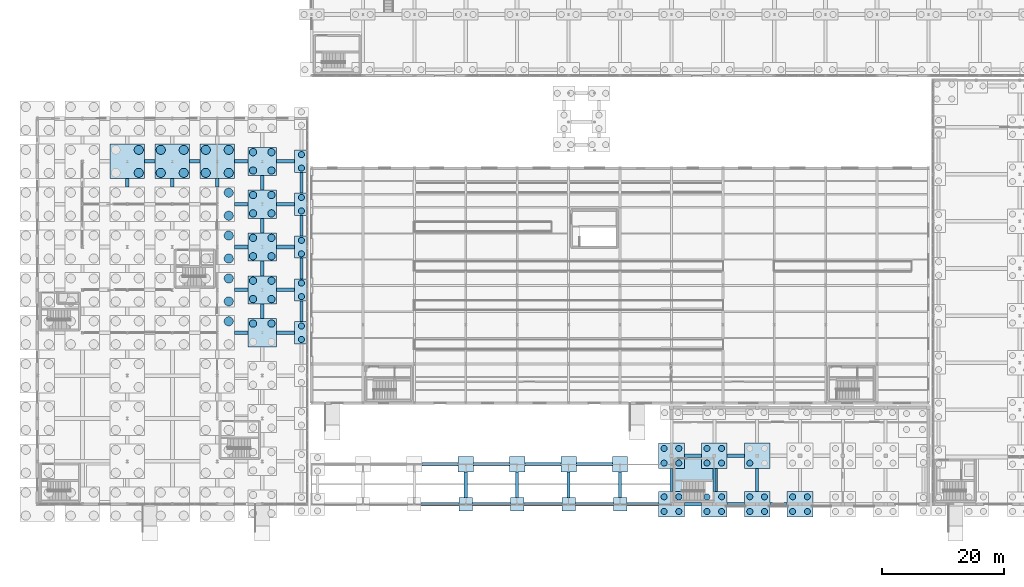
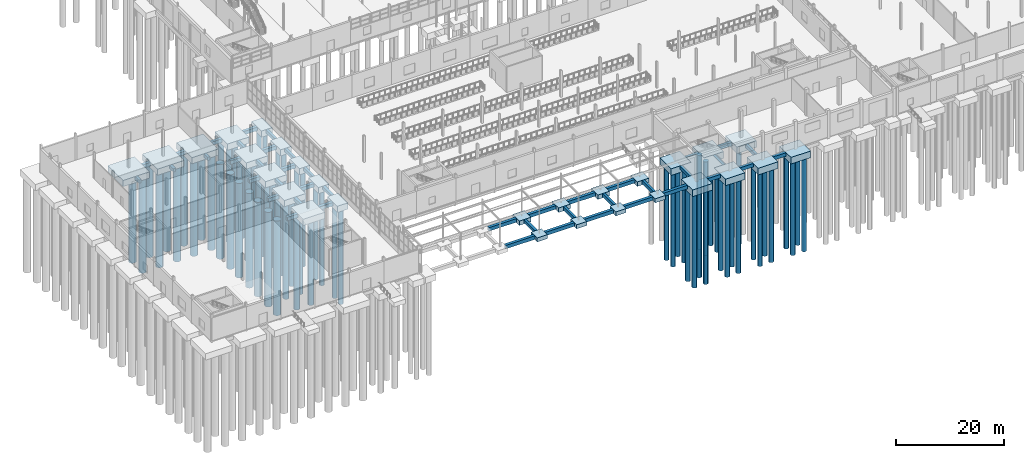
# One storey, part 3 of 139: 73 footings, 70 piles.
"""IFC4 building model written with IfcOpenShell, lengths in metres."""

from ifc_helpers import new_model, si_unit, direction, frame, origin, origin_2d, place, context, subcontext, project, spatial, polyline, rectangle, circle, outline, extrude, material, material_profile, profile_set, type_object, element, save


model = new_model("IFC4")

# Units and contexts
model_context = context("Model", 3, precision=1e-05, world=origin(), true_north=direction((0.0, 1.0)))
body_context = subcontext(model_context, "Body", "Model", "MODEL_VIEW")
ifc_project = project(units=[si_unit("LENGTHUNIT", "METRE"), si_unit("AREAUNIT", "SQUARE_METRE"), si_unit("VOLUMEUNIT", "CUBIC_METRE"), si_unit("PLANEANGLEUNIT", "RADIAN"), si_unit("MASSUNIT", "GRAM", prefix="KILO")], contexts=[model_context])

# Site, building, storey
site_placement = place(None, origin())
site = spatial("IfcSite", under=ifc_project, at=site_placement, CompositionType="ELEMENT")
building_placement = place(site_placement, origin())
building = spatial("IfcBuilding", under=site, at=building_placement, Name="Kazenagashi Tramway Depot", CompositionType="ELEMENT")
storey_placement = place(building_placement, origin())
storey = spatial("IfcBuildingStorey", under=building, at=storey_placement, Name="L01", CompositionType="ELEMENT", Elevation=0.0)

# Piles
ifc_material = material(Name="Concrete Fc30", Category="concrete")
ifc_material_profile_1 = material_profile(ifc_material, circle(Radius=0.5, at=origin_2d()), Name="PILE-1000")
ifc_profile_set_1 = profile_set([ifc_material_profile_1], Name="Concrete Fc30")
pile_type_1 = type_object("IfcPileType", Name="BP-01", PredefinedType="BORED", material=ifc_profile_set_1)
for number, where, z_axis, x_axis, name in (
    (1, (43.15, 26.9, -1.65), (0.0, 0.0, -1.0), (1.0, 0.0, 0.0), "Bored Pile BP-01 PILE-0935"),
    (2, (43.15, 29.1, -1.65), (0.0, 0.0, -1.0), (1.0, 0.0, 0.0), "Bored Pile BP-01 PILE-0936"),
    (3, (43.15, 33.9, -1.65), (0.0, 0.0, -1.0), (1.0, 0.0, 0.0), "Bored Pile BP-01 PILE-0937"),
    (4, (43.15, 36.1, -1.65), (0.0, 0.0, -1.0), (1.0, 0.0, 0.0), "Bored Pile BP-01 PILE-0938"),
    (5, (43.15, 40.9, -1.65), (0.0, 0.0, -1.0), (1.0, 0.0, 0.0), "Bored Pile BP-01 PILE-0939"),
    (6, (43.15, 43.1, -1.65), (0.0, 0.0, -1.0), (1.0, 0.0, 0.0), "Bored Pile BP-01 PILE-0940"),
    (7, (43.15, 47.9, -1.65), (0.0, 0.0, -1.0), (1.0, 0.0, 0.0), "Bored Pile BP-01 PILE-0941"),
    (8, (43.15, 50.1, -1.65), (0.0, 0.0, -1.0), (1.0, 0.0, 0.0), "Bored Pile BP-01 PILE-0942"),
    (9, (43.15, 54.9, -1.65), (0.0, 0.0, -1.0), (1.0, 0.0, 0.0), "Bored Pile BP-01 PILE-0943"),
    (10, (43.15, 57.1, -1.65), (0.0, 0.0, -1.0), (1.0, 0.0, 0.0), "Bored Pile BP-01 PILE-0944"),
):
    element("IfcPile", number, at=place(storey_placement, frame(where, z_axis=z_axis, x_axis=x_axis)), inside=storey, type_object=pile_type_1, Name=name, PredefinedType="BORED", context=body_context, shape_type="SweptSolid", body=[
        extrude(circle(Radius=0.5, at=origin_2d()), origin(), (0.0, 0.0, 1.0), 21.35),
    ])
for number, where, z_axis, x_axis, name in (
    (11, (102.4, -1.2, -1.75), (0.0, 0.0, -1.0), (1.0, 0.0, 0.0), "Bored Pile BP-01 PILE-0947"),
    (12, (104.8, -1.2, -1.75), (0.0, 0.0, -1.0), (1.0, 0.0, 0.0), "Bored Pile BP-01 PILE-0948"),
    (13, (102.4, 1.2, -1.75), (0.0, 0.0, -1.0), (1.0, 0.0, 0.0), "Bored Pile BP-01 PILE-0949"),
    (14, (104.8, 1.2, -1.75), (0.0, 0.0, -1.0), (1.0, 0.0, 0.0), "Bored Pile BP-01 PILE-0950"),
    (15, (102.4, 6.7, -1.75), (0.0, 0.0, -1.0), (1.0, 0.0, 0.0), "Bored Pile BP-01 PILE-0951"),
    (16, (104.8, 6.7, -1.75), (0.0, 0.0, -1.0), (1.0, 0.0, 0.0), "Bored Pile BP-01 PILE-0952"),
    (17, (102.4, 9.1, -1.75), (0.0, 0.0, -1.0), (1.0, 0.0, 0.0), "Bored Pile BP-01 PILE-0953"),
    (18, (104.8, 9.1, -1.75), (0.0, 0.0, -1.0), (1.0, 0.0, 0.0), "Bored Pile BP-01 PILE-0954"),
    (19, (109.4, -1.2, -1.75), (0.0, 0.0, -1.0), (1.0, 0.0, 0.0), "Bored Pile BP-01 PILE-0957"),
    (20, (111.8, -1.2, -1.75), (0.0, 0.0, -1.0), (1.0, 0.0, 0.0), "Bored Pile BP-01 PILE-0958"),
    (21, (109.4, 1.2, -1.75), (0.0, 0.0, -1.0), (1.0, 0.0, 0.0), "Bored Pile BP-01 PILE-0959"),
    (22, (111.8, 1.2, -1.75), (0.0, 0.0, -1.0), (1.0, 0.0, 0.0), "Bored Pile BP-01 PILE-0960"),
    (23, (109.4, 6.7, -1.75), (0.0, 0.0, -1.0), (1.0, 0.0, 0.0), "Bored Pile BP-01 PILE-0961"),
    (24, (111.8, 6.7, -1.75), (0.0, 0.0, -1.0), (1.0, 0.0, 0.0), "Bored Pile BP-01 PILE-0962"),
    (25, (109.4, 9.1, -1.75), (0.0, 0.0, -1.0), (1.0, 0.0, 0.0), "Bored Pile BP-01 PILE-0963"),
    (26, (111.8, 9.1, -1.75), (0.0, 0.0, -1.0), (1.0, 0.0, 0.0), "Bored Pile BP-01 PILE-0964"),
    (27, (116.4, -1.2, -1.75), (0.0, 0.0, -1.0), (1.0, 0.0, 0.0), "Bored Pile BP-01 PILE-0967"),
    (28, (118.8, -1.2, -1.75), (0.0, 0.0, -1.0), (1.0, 0.0, 0.0), "Bored Pile BP-01 PILE-0968"),
    (29, (116.4, 1.2, -1.75), (0.0, 0.0, -1.0), (1.0, 0.0, 0.0), "Bored Pile BP-01 PILE-0969"),
    (30, (118.8, 1.2, -1.75), (0.0, 0.0, -1.0), (1.0, 0.0, 0.0), "Bored Pile BP-01 PILE-0970"),
    (31, (116.4, 6.7, -1.75), (0.0, 0.0, -1.0), (1.0, 0.0, 0.0), "Bored Pile BP-01 PILE-0971"),
    (32, (123.4, -1.2, -1.75), (0.0, 0.0, -1.0), (1.0, 0.0, 0.0), "Bored Pile BP-01 PILE-0977"),
    (33, (125.8, -1.2, -1.75), (0.0, 0.0, -1.0), (1.0, 0.0, 0.0), "Bored Pile BP-01 PILE-0978"),
    (34, (123.4, 1.2, -1.75), (0.0, 0.0, -1.0), (1.0, 0.0, 0.0), "Bored Pile BP-01 PILE-0979"),
    (35, (125.8, 1.2, -1.75), (0.0, 0.0, -1.0), (1.0, 0.0, 0.0), "Bored Pile BP-01 PILE-0980"),
):
    element("IfcPile", number, at=place(storey_placement, frame(where, z_axis=z_axis, x_axis=x_axis)), inside=storey, type_object=pile_type_1, Name=name, PredefinedType="BORED", context=body_context, shape_type="SweptSolid", body=[
        extrude(circle(Radius=0.5, at=origin_2d()), origin(), (0.0, 0.0, 1.0), 21.25),
    ])
ifc_material_profile_2 = material_profile(ifc_material, circle(Radius=0.6, at=origin_2d()), Name="PILE-1200")
ifc_profile_set_2 = profile_set([ifc_material_profile_2], Name="Concrete Fc30")
pile_type_2 = type_object("IfcPileType", Name="BP-02", PredefinedType="BORED", material=ifc_profile_set_2)
for number, where, z_axis, x_axis, name in (
    (36, (35.25, 29.5, -1.65), (0.0, 0.0, -1.0), (1.0, 0.0, 0.0), "Bored Pile BP-02 PILE-0905"),
    (37, (38.25, 29.5, -1.65), (0.0, 0.0, -1.0), (1.0, 0.0, 0.0), "Bored Pile BP-02 PILE-0906"),
    (38, (35.25, 33.5, -1.65), (0.0, 0.0, -1.0), (1.0, 0.0, 0.0), "Bored Pile BP-02 PILE-0907"),
    (39, (38.25, 33.5, -1.65), (0.0, 0.0, -1.0), (1.0, 0.0, 0.0), "Bored Pile BP-02 PILE-0908"),
    (40, (35.25, 36.5, -1.65), (0.0, 0.0, -1.0), (1.0, 0.0, 0.0), "Bored Pile BP-02 PILE-0909"),
    (41, (38.25, 36.5, -1.65), (0.0, 0.0, -1.0), (1.0, 0.0, 0.0), "Bored Pile BP-02 PILE-0910"),
    (42, (35.25, 40.5, -1.65), (0.0, 0.0, -1.0), (1.0, 0.0, 0.0), "Bored Pile BP-02 PILE-0911"),
    (43, (38.25, 40.5, -1.65), (0.0, 0.0, -1.0), (1.0, 0.0, 0.0), "Bored Pile BP-02 PILE-0912"),
    (44, (35.25, 43.5, -1.65), (0.0, 0.0, -1.0), (1.0, 0.0, 0.0), "Bored Pile BP-02 PILE-0913"),
    (45, (38.25, 43.5, -1.65), (0.0, 0.0, -1.0), (1.0, 0.0, 0.0), "Bored Pile BP-02 PILE-0914"),
    (46, (35.25, 47.5, -1.65), (0.0, 0.0, -1.0), (1.0, 0.0, 0.0), "Bored Pile BP-02 PILE-0915"),
    (47, (38.25, 47.5, -1.65), (0.0, 0.0, -1.0), (1.0, 0.0, 0.0), "Bored Pile BP-02 PILE-0916"),
    (48, (35.25, 50.5, -1.65), (0.0, 0.0, -1.0), (1.0, 0.0, 0.0), "Bored Pile BP-02 PILE-0917"),
    (49, (38.25, 50.5, -1.65), (0.0, 0.0, -1.0), (1.0, 0.0, 0.0), "Bored Pile BP-02 PILE-0918"),
    (50, (35.25, 54.5, -1.65), (0.0, 0.0, -1.0), (1.0, 0.0, 0.0), "Bored Pile BP-02 PILE-0919"),
    (51, (38.25, 54.5, -1.65), (0.0, 0.0, -1.0), (1.0, 0.0, 0.0), "Bored Pile BP-02 PILE-0920"),
    (52, (35.25, 57.5, -1.65), (0.0, 0.0, -1.0), (1.0, 0.0, 0.0), "Bored Pile BP-02 PILE-0921"),
    (53, (38.25, 57.5, -1.65), (0.0, 0.0, -1.0), (1.0, 0.0, 0.0), "Bored Pile BP-02 PILE-0922"),
):
    element("IfcPile", number, at=place(storey_placement, frame(where, z_axis=z_axis, x_axis=x_axis)), inside=storey, type_object=pile_type_2, Name=name, PredefinedType="BORED", context=body_context, shape_type="SweptSolid", body=[
        extrude(circle(Radius=0.6, at=origin_2d()), origin(), (0.0, 0.0, 1.0), 21.35),
    ])
ifc_material_profile_3 = material_profile(ifc_material, circle(Radius=0.75, at=origin_2d()), Name="PILE-1500")
ifc_profile_set_3 = profile_set([ifc_material_profile_3], Name="Concrete Fc30")
pile_type_3 = type_object("IfcPileType", Name="BP-03", PredefinedType="BORED", material=ifc_profile_set_3)
for number, where, z_axis, x_axis, name in (
    (54, (16.575, 54.125, -1.65), (0.0, 0.0, -1.0), (1.0, 0.0, 0.0), "Bored Pile BP-03 PILE-0812"),
    (55, (16.575, 57.875, -1.65), (0.0, 0.0, -1.0), (1.0, 0.0, 0.0), "Bored Pile BP-03 PILE-0814"),
    (56, (20.175, 54.125, -1.65), (0.0, 0.0, -1.0), (1.0, 0.0, 0.0), "Bored Pile BP-03 PILE-0839"),
    (57, (23.925, 54.125, -1.65), (0.0, 0.0, -1.0), (1.0, 0.0, 0.0), "Bored Pile BP-03 PILE-0840"),
    (58, (20.175, 57.875, -1.65), (0.0, 0.0, -1.0), (1.0, 0.0, 0.0), "Bored Pile BP-03 PILE-0841"),
    (59, (23.925, 57.875, -1.65), (0.0, 0.0, -1.0), (1.0, 0.0, 0.0), "Bored Pile BP-03 PILE-0842"),
    (60, (31.275, 29.875, -1.65), (0.0, 0.0, -1.0), (1.0, 0.0, 0.0), "Bored Pile BP-03 PILE-0866"),
    (61, (31.275, 33.125, -1.65), (0.0, 0.0, -1.0), (1.0, 0.0, 0.0), "Bored Pile BP-03 PILE-0868"),
    (62, (31.275, 36.875, -1.65), (0.0, 0.0, -1.0), (1.0, 0.0, 0.0), "Bored Pile BP-03 PILE-0870"),
    (63, (31.275, 40.125, -1.65), (0.0, 0.0, -1.0), (1.0, 0.0, 0.0), "Bored Pile BP-03 PILE-0872"),
    (64, (31.275, 43.875, -1.65), (0.0, 0.0, -1.0), (1.0, 0.0, 0.0), "Bored Pile BP-03 PILE-0874"),
    (65, (31.275, 47.125, -1.65), (0.0, 0.0, -1.0), (1.0, 0.0, 0.0), "Bored Pile BP-03 PILE-0876"),
    (66, (31.275, 50.875, -1.65), (0.0, 0.0, -1.0), (1.0, 0.0, 0.0), "Bored Pile BP-03 PILE-0878"),
    (67, (27.525, 54.125, -1.65), (0.0, 0.0, -1.0), (1.0, 0.0, 0.0), "Bored Pile BP-03 PILE-0879"),
    (68, (31.275, 54.125, -1.65), (0.0, 0.0, -1.0), (1.0, 0.0, 0.0), "Bored Pile BP-03 PILE-0880"),
    (69, (27.525, 57.875, -1.65), (0.0, 0.0, -1.0), (1.0, 0.0, 0.0), "Bored Pile BP-03 PILE-0881"),
    (70, (31.275, 57.875, -1.65), (0.0, 0.0, -1.0), (1.0, 0.0, 0.0), "Bored Pile BP-03 PILE-0882"),
):
    element("IfcPile", number, at=place(storey_placement, frame(where, z_axis=z_axis, x_axis=x_axis)), inside=storey, type_object=pile_type_3, Name=name, PredefinedType="BORED", context=body_context, shape_type="SweptSolid", body=[
        extrude(circle(Radius=0.75, at=origin_2d()), origin(), (0.0, 0.0, 1.0), 21.35),
    ])

# Footings
footing_type_1 = type_object("IfcFootingType", Name="FB-01", PredefinedType="FOOTING_BEAM", material=ifc_material)
footing_1_placement = place(storey_placement, frame((0.0, 0.0, -1.15)))
element("IfcFooting", 71, at=footing_1_placement, inside=storey, type_object=footing_type_1, Name="Footing Tie Beam FB-0009", PredefinedType="FOOTING_BEAM", context=body_context, shape_type="SweptSolid", body=[
    extrude(outline(polyline([(62.7, -0.3), (68.9, -0.3), (68.9, 0.3), (62.7, 0.3), (62.7, -0.3)])), origin(), (0.0, 0.0, 1.0), 0.8),
])
footing_2_placement = place(storey_placement, frame((0.0, 0.0, -1.15)))
element("IfcFooting", 72, at=footing_2_placement, inside=storey, type_object=footing_type_1, Name="Footing Tie Beam FB-0010", PredefinedType="FOOTING_BEAM", context=body_context, shape_type="SweptSolid", body=[
    extrude(outline(polyline([(71.1, -0.3), (77.3, -0.3), (77.3, 0.3), (71.1, 0.3), (71.1, -0.3)])), origin(), (0.0, 0.0, 1.0), 0.8),
])
footing_3_placement = place(storey_placement, frame((0.0, 0.0, -1.15)))
element("IfcFooting", 73, at=footing_3_placement, inside=storey, type_object=footing_type_1, Name="Footing Tie Beam FB-0011", PredefinedType="FOOTING_BEAM", context=body_context, shape_type="SweptSolid", body=[
    extrude(outline(polyline([(79.5, -0.3), (85.7, -0.3), (85.7, 0.3), (79.5, 0.3), (79.5, -0.3)])), origin(), (0.0, 0.0, 1.0), 0.8),
])
footing_4_placement = place(storey_placement, frame((0.0, 0.0, -1.15)))
element("IfcFooting", 74, at=footing_4_placement, inside=storey, type_object=footing_type_1, Name="Footing Tie Beam FB-0012", PredefinedType="FOOTING_BEAM", context=body_context, shape_type="SweptSolid", body=[
    extrude(outline(polyline([(87.9, -0.3), (94.1, -0.3), (94.1, 0.3), (87.9, 0.3), (87.9, -0.3)])), origin(), (0.0, 0.0, 1.0), 0.8),
])
footing_5_placement = place(storey_placement, frame((0.0, 0.0, -1.15)))
element("IfcFooting", 75, at=footing_5_placement, inside=storey, type_object=footing_type_1, Name="Footing Tie Beam FB-0013", PredefinedType="FOOTING_BEAM", context=body_context, shape_type="SweptSolid", body=[
    extrude(outline(polyline([(96.3, -0.3), (101.5, -0.3), (101.5, 0.3), (96.3, 0.3), (96.3, -0.3)])), origin(), (0.0, 0.0, 1.0), 0.8),
])
footing_6_placement = place(storey_placement, frame((0.0, 0.0, -1.15)))
element("IfcFooting", 76, at=footing_6_placement, inside=storey, type_object=footing_type_1, Name="Footing Tie Beam FB-0014", PredefinedType="FOOTING_BEAM", context=body_context, shape_type="SweptSolid", body=[
    extrude(outline(polyline([(105.7, -0.3), (108.5, -0.3), (108.5, 0.3), (105.7, 0.3), (105.7, -0.3)])), origin(), (0.0, 0.0, 1.0), 0.8),
])
footing_7_placement = place(storey_placement, frame((0.0, 0.0, -1.15)))
element("IfcFooting", 77, at=footing_7_placement, inside=storey, type_object=footing_type_1, Name="Footing Tie Beam FB-0015", PredefinedType="FOOTING_BEAM", context=body_context, shape_type="SweptSolid", body=[
    extrude(outline(polyline([(112.7, -0.3), (115.5, -0.3), (115.5, 0.3), (112.7, 0.3), (112.7, -0.3)])), origin(), (0.0, 0.0, 1.0), 0.8),
])
footing_8_placement = place(storey_placement, frame((0.0, 0.0, -1.15)))
element("IfcFooting", 78, at=footing_8_placement, inside=storey, type_object=footing_type_1, Name="Footing Tie Beam FB-0016", PredefinedType="FOOTING_BEAM", context=body_context, shape_type="SweptSolid", body=[
    extrude(outline(polyline([(119.7, -0.3), (122.5, -0.3), (122.5, 0.3), (119.7, 0.3), (119.7, -0.3)])), origin(), (0.0, 0.0, 1.0), 0.8),
])
footing_9_placement = place(storey_placement, frame((0.0, 0.0, -1.15)))
element("IfcFooting", 79, at=footing_9_placement, inside=storey, type_object=footing_type_1, Name="Footing Tie Beam FB-0029", PredefinedType="FOOTING_BEAM", context=body_context, shape_type="SweptSolid", body=[
    extrude(outline(polyline([(62.85, 6.2), (68.75, 6.2), (68.75, 6.8), (62.85, 6.8), (62.85, 6.2)])), origin(), (0.0, 0.0, 1.0), 0.8),
])
footing_10_placement = place(storey_placement, frame((0.0, 0.0, -1.15)))
element("IfcFooting", 80, at=footing_10_placement, inside=storey, type_object=footing_type_1, Name="Footing Tie Beam FB-0030", PredefinedType="FOOTING_BEAM", context=body_context, shape_type="SweptSolid", body=[
    extrude(outline(polyline([(71.25, 6.2), (77.15, 6.2), (77.15, 6.8), (71.25, 6.8), (71.25, 6.2)])), origin(), (0.0, 0.0, 1.0), 0.8),
])
footing_11_placement = place(storey_placement, frame((0.0, 0.0, -1.15)))
element("IfcFooting", 81, at=footing_11_placement, inside=storey, type_object=footing_type_1, Name="Footing Tie Beam FB-0031", PredefinedType="FOOTING_BEAM", context=body_context, shape_type="SweptSolid", body=[
    extrude(outline(polyline([(79.65, 6.2), (85.55, 6.2), (85.55, 6.8), (79.65, 6.8), (79.65, 6.2)])), origin(), (0.0, 0.0, 1.0), 0.8),
])
footing_12_placement = place(storey_placement, frame((0.0, 0.0, -1.15)))
element("IfcFooting", 82, at=footing_12_placement, inside=storey, type_object=footing_type_1, Name="Footing Tie Beam FB-0032", PredefinedType="FOOTING_BEAM", context=body_context, shape_type="SweptSolid", body=[
    extrude(outline(polyline([(88.05, 6.2), (93.95, 6.2), (93.95, 6.8), (88.05, 6.8), (88.05, 6.2)])), origin(), (0.0, 0.0, 1.0), 0.8),
])
footing_13_placement = place(storey_placement, frame((0.0, 0.0, -1.15)))
element("IfcFooting", 83, at=footing_13_placement, inside=storey, type_object=footing_type_1, Name="Footing Tie Beam FB-0043", PredefinedType="FOOTING_BEAM", context=body_context, shape_type="SweptSolid", body=[
    extrude(outline(polyline([(105.7, 7.6), (108.5, 7.6), (108.5, 8.2), (105.7, 8.2), (105.7, 7.6)])), origin(), (0.0, 0.0, 1.0), 0.8),
])
footing_14_placement = place(storey_placement, frame((0.0, 0.0, -1.15)))
element("IfcFooting", 84, at=footing_14_placement, inside=storey, type_object=footing_type_1, Name="Footing Tie Beam FB-0044", PredefinedType="FOOTING_BEAM", context=body_context, shape_type="SweptSolid", body=[
    extrude(outline(polyline([(112.7, 7.6), (115.5, 7.6), (115.5, 8.2), (112.7, 8.2), (112.7, 7.6)])), origin(), (0.0, 0.0, 1.0), 0.8),
])
footing_15_placement = place(storey_placement, frame((0.0, 0.0, -1.15)))
element("IfcFooting", 85, at=footing_15_placement, inside=storey, type_object=footing_type_1, Name="Footing Tie Beam FB-0076", PredefinedType="FOOTING_BEAM", context=body_context, shape_type="SweptSolid", body=[
    extrude(outline(polyline([(32.225, 27.7), (34.45, 27.7), (34.45, 28.3), (32.225, 28.3), (32.225, 27.7)])), origin(), (0.0, 0.0, 1.0), 0.8),
])
footing_16_placement = place(storey_placement, frame((0.0, 0.0, -1.15)))
element("IfcFooting", 86, at=footing_16_placement, inside=storey, type_object=footing_type_1, Name="Footing Tie Beam FB-0077", PredefinedType="FOOTING_BEAM", context=body_context, shape_type="SweptSolid", body=[
    extrude(outline(polyline([(39.05, 27.7), (42.0, 27.7), (42.0, 28.3), (39.05, 28.3), (39.05, 27.7)])), origin(), (0.0, 0.0, 1.0), 0.8),
])
footing_17_placement = place(storey_placement, frame((0.0, 0.0, -1.15)))
element("IfcFooting", 87, at=footing_17_placement, inside=storey, type_object=footing_type_1, Name="Footing Tie Beam FB-0087", PredefinedType="FOOTING_BEAM", context=body_context, shape_type="SweptSolid", body=[
    extrude(outline(polyline([(32.225, 34.7), (34.45, 34.7), (34.45, 35.3), (32.225, 35.3), (32.225, 34.7)])), origin(), (0.0, 0.0, 1.0), 0.8),
])
footing_18_placement = place(storey_placement, frame((0.0, 0.0, -1.15)))
element("IfcFooting", 88, at=footing_18_placement, inside=storey, type_object=footing_type_1, Name="Footing Tie Beam FB-0088", PredefinedType="FOOTING_BEAM", context=body_context, shape_type="SweptSolid", body=[
    extrude(outline(polyline([(39.05, 34.7), (42.0, 34.7), (42.0, 35.3), (39.05, 35.3), (39.05, 34.7)])), origin(), (0.0, 0.0, 1.0), 0.8),
])
footing_19_placement = place(storey_placement, frame((0.0, 0.0, -1.15)))
element("IfcFooting", 89, at=footing_19_placement, inside=storey, type_object=footing_type_1, Name="Footing Tie Beam FB-0098", PredefinedType="FOOTING_BEAM", context=body_context, shape_type="SweptSolid", body=[
    extrude(outline(polyline([(32.225, 41.7), (34.45, 41.7), (34.45, 42.3), (32.225, 42.3), (32.225, 41.7)])), origin(), (0.0, 0.0, 1.0), 0.8),
])
footing_20_placement = place(storey_placement, frame((0.0, 0.0, -1.15)))
element("IfcFooting", 90, at=footing_20_placement, inside=storey, type_object=footing_type_1, Name="Footing Tie Beam FB-0099", PredefinedType="FOOTING_BEAM", context=body_context, shape_type="SweptSolid", body=[
    extrude(outline(polyline([(39.05, 41.7), (42.0, 41.7), (42.0, 42.3), (39.05, 42.3), (39.05, 41.7)])), origin(), (0.0, 0.0, 1.0), 0.8),
])
footing_21_placement = place(storey_placement, frame((0.0, 0.0, -1.15)))
element("IfcFooting", 91, at=footing_21_placement, inside=storey, type_object=footing_type_1, Name="Footing Tie Beam FB-0109", PredefinedType="FOOTING_BEAM", context=body_context, shape_type="SweptSolid", body=[
    extrude(outline(polyline([(32.225, 48.7), (34.45, 48.7), (34.45, 49.3), (32.225, 49.3), (32.225, 48.7)])), origin(), (0.0, 0.0, 1.0), 0.8),
])
footing_22_placement = place(storey_placement, frame((0.0, 0.0, -1.15)))
element("IfcFooting", 92, at=footing_22_placement, inside=storey, type_object=footing_type_1, Name="Footing Tie Beam FB-0110", PredefinedType="FOOTING_BEAM", context=body_context, shape_type="SweptSolid", body=[
    extrude(outline(polyline([(39.05, 48.7), (42.0, 48.7), (42.0, 49.3), (39.05, 49.3), (39.05, 48.7)])), origin(), (0.0, 0.0, 1.0), 0.8),
])
footing_23_placement = place(storey_placement, frame((0.0, 0.0, -1.15)))
element("IfcFooting", 93, at=footing_23_placement, inside=storey, type_object=footing_type_1, Name="Footing Tie Beam FB-0118", PredefinedType="FOOTING_BEAM", context=body_context, shape_type="SweptSolid", body=[
    extrude(outline(polyline([(17.525, 55.7), (19.225, 55.7), (19.225, 56.3), (17.525, 56.3), (17.525, 55.7)])), origin(), (0.0, 0.0, 1.0), 0.8),
])
footing_24_placement = place(storey_placement, frame((0.0, 0.0, -1.15)))
element("IfcFooting", 94, at=footing_24_placement, inside=storey, type_object=footing_type_1, Name="Footing Tie Beam FB-0119", PredefinedType="FOOTING_BEAM", context=body_context, shape_type="SweptSolid", body=[
    extrude(outline(polyline([(24.875, 55.7), (26.575, 55.7), (26.575, 56.3), (24.875, 56.3), (24.875, 55.7)])), origin(), (0.0, 0.0, 1.0), 0.8),
])
footing_25_placement = place(storey_placement, frame((0.0, 0.0, -1.15)))
element("IfcFooting", 95, at=footing_25_placement, inside=storey, type_object=footing_type_1, Name="Footing Tie Beam FB-0120", PredefinedType="FOOTING_BEAM", context=body_context, shape_type="SweptSolid", body=[
    extrude(outline(polyline([(32.225, 55.7), (34.45, 55.7), (34.45, 56.3), (32.225, 56.3), (32.225, 55.7)])), origin(), (0.0, 0.0, 1.0), 0.8),
])
footing_26_placement = place(storey_placement, frame((0.0, 0.0, -1.15)))
element("IfcFooting", 96, at=footing_26_placement, inside=storey, type_object=footing_type_1, Name="Footing Tie Beam FB-0121", PredefinedType="FOOTING_BEAM", context=body_context, shape_type="SweptSolid", body=[
    extrude(outline(polyline([(39.05, 55.7), (42.0, 55.7), (42.0, 56.3), (39.05, 56.3), (39.05, 55.7)])), origin(), (0.0, 0.0, 1.0), 0.8),
])
footing_type_2 = type_object("IfcFootingType", Name="FB-03", PredefinedType="FOOTING_BEAM", material=ifc_material)
footing_27_placement = place(storey_placement, frame((0.0, 0.0, -1.1)))
element("IfcFooting", 97, at=footing_27_placement, inside=storey, type_object=footing_type_2, Name="Footing Tie Beam FB-0243", PredefinedType="FOOTING_BEAM", context=body_context, shape_type="SweptSolid", body=[
    extrude(outline(polyline([(14.45, 51.825), (14.95, 51.825), (14.95, 53.175), (14.45, 53.175), (14.45, 51.825)])), origin(), (0.0, 0.0, 1.0), 0.75),
])
footing_28_placement = place(storey_placement, frame((0.0, 0.0, -1.1)))
element("IfcFooting", 98, at=footing_28_placement, inside=storey, type_object=footing_type_2, Name="Footing Tie Beam FB-0249", PredefinedType="FOOTING_BEAM", context=body_context, shape_type="SweptSolid", body=[
    extrude(outline(polyline([(21.8, 51.825), (22.3, 51.825), (22.3, 53.175), (21.8, 53.175), (21.8, 51.825)])), origin(), (0.0, 0.0, 1.0), 0.75),
])
footing_29_placement = place(storey_placement, frame((0.0, 0.0, -1.1)))
element("IfcFooting", 99, at=footing_29_placement, inside=storey, type_object=footing_type_2, Name="Footing Tie Beam FB-0258", PredefinedType="FOOTING_BEAM", context=body_context, shape_type="SweptSolid", body=[
    extrude(outline(polyline([(29.15, 51.825), (29.65, 51.825), (29.65, 53.175), (29.15, 53.175), (29.15, 51.825)])), origin(), (0.0, 0.0, 1.0), 0.75),
])
footing_30_placement = place(storey_placement, frame((0.0, 0.0, -1.1)))
element("IfcFooting", 100, at=footing_30_placement, inside=storey, type_object=footing_type_2, Name="Footing Tie Beam FB-0264", PredefinedType="FOOTING_BEAM", context=body_context, shape_type="SweptSolid", body=[
    extrude(outline(polyline([(36.5, 30.3), (37.0, 30.3), (37.0, 32.7), (36.5, 32.7), (36.5, 30.3)])), origin(), (0.0, 0.0, 1.0), 0.75),
])
footing_31_placement = place(storey_placement, frame((0.0, 0.0, -1.1)))
element("IfcFooting", 101, at=footing_31_placement, inside=storey, type_object=footing_type_2, Name="Footing Tie Beam FB-0265", PredefinedType="FOOTING_BEAM", context=body_context, shape_type="SweptSolid", body=[
    extrude(outline(polyline([(36.5, 37.3), (37.0, 37.3), (37.0, 39.7), (36.5, 39.7), (36.5, 37.3)])), origin(), (0.0, 0.0, 1.0), 0.75),
])
footing_32_placement = place(storey_placement, frame((0.0, 0.0, -1.1)))
element("IfcFooting", 102, at=footing_32_placement, inside=storey, type_object=footing_type_2, Name="Footing Tie Beam FB-0266", PredefinedType="FOOTING_BEAM", context=body_context, shape_type="SweptSolid", body=[
    extrude(outline(polyline([(36.5, 44.3), (37.0, 44.3), (37.0, 46.7), (36.5, 46.7), (36.5, 44.3)])), origin(), (0.0, 0.0, 1.0), 0.75),
])
footing_33_placement = place(storey_placement, frame((0.0, 0.0, -1.1)))
element("IfcFooting", 103, at=footing_33_placement, inside=storey, type_object=footing_type_2, Name="Footing Tie Beam FB-0267", PredefinedType="FOOTING_BEAM", context=body_context, shape_type="SweptSolid", body=[
    extrude(outline(polyline([(36.5, 51.3), (37.0, 51.3), (37.0, 53.7), (36.5, 53.7), (36.5, 51.3)])), origin(), (0.0, 0.0, 1.0), 0.75),
])
footing_34_placement = place(storey_placement, frame((0.0, 0.0, -1.1)))
element("IfcFooting", 104, at=footing_34_placement, inside=storey, type_object=footing_type_2, Name="Footing Tie Beam FB-0273", PredefinedType="FOOTING_BEAM", context=body_context, shape_type="SweptSolid", body=[
    extrude(outline(polyline([(42.9, 29.82), (43.4, 29.82), (43.4, 33.18), (42.9, 33.18), (42.9, 29.82)])), origin(), (0.0, 0.0, 1.0), 0.75),
])
footing_35_placement = place(storey_placement, frame((0.0, 0.0, -1.1)))
element("IfcFooting", 105, at=footing_35_placement, inside=storey, type_object=footing_type_2, Name="Footing Tie Beam FB-0274", PredefinedType="FOOTING_BEAM", context=body_context, shape_type="SweptSolid", body=[
    extrude(outline(polyline([(42.9, 36.82), (43.4, 36.82), (43.4, 40.18), (42.9, 40.18), (42.9, 36.82)])), origin(), (0.0, 0.0, 1.0), 0.75),
])
footing_36_placement = place(storey_placement, frame((0.0, 0.0, -1.1)))
element("IfcFooting", 106, at=footing_36_placement, inside=storey, type_object=footing_type_2, Name="Footing Tie Beam FB-0275", PredefinedType="FOOTING_BEAM", context=body_context, shape_type="SweptSolid", body=[
    extrude(outline(polyline([(42.9, 43.82), (43.4, 43.82), (43.4, 47.18), (42.9, 47.18), (42.9, 43.82)])), origin(), (0.0, 0.0, 1.0), 0.75),
])
footing_37_placement = place(storey_placement, frame((0.0, 0.0, -1.1)))
element("IfcFooting", 107, at=footing_37_placement, inside=storey, type_object=footing_type_2, Name="Footing Tie Beam FB-0276", PredefinedType="FOOTING_BEAM", context=body_context, shape_type="SweptSolid", body=[
    extrude(outline(polyline([(42.9, 50.82), (43.4, 50.82), (43.4, 54.18), (42.9, 54.18), (42.9, 50.82)])), origin(), (0.0, 0.0, 1.0), 0.75),
])
footing_38_placement = place(storey_placement, frame((0.0, 0.0, -1.1)))
element("IfcFooting", 108, at=footing_38_placement, inside=storey, type_object=footing_type_2, Name="Footing Tie Beam FB-0302", PredefinedType="FOOTING_BEAM", context=body_context, shape_type="SweptSolid", body=[
    extrude(outline(polyline([(69.75, 1.1), (70.25, 1.1), (70.25, 5.25), (69.75, 5.25), (69.75, 1.1)])), origin(), (0.0, 0.0, 1.0), 0.75),
])
footing_39_placement = place(storey_placement, frame((0.0, 0.0, -1.1)))
element("IfcFooting", 109, at=footing_39_placement, inside=storey, type_object=footing_type_2, Name="Footing Tie Beam FB-0306", PredefinedType="FOOTING_BEAM", context=body_context, shape_type="SweptSolid", body=[
    extrude(outline(polyline([(78.15, 1.1), (78.65, 1.1), (78.65, 5.25), (78.15, 5.25), (78.15, 1.1)])), origin(), (0.0, 0.0, 1.0), 0.75),
])
footing_40_placement = place(storey_placement, frame((0.0, 0.0, -1.1)))
element("IfcFooting", 110, at=footing_40_placement, inside=storey, type_object=footing_type_2, Name="Footing Tie Beam FB-0312", PredefinedType="FOOTING_BEAM", context=body_context, shape_type="SweptSolid", body=[
    extrude(outline(polyline([(86.55, 1.1), (87.05, 1.1), (87.05, 5.25), (86.55, 5.25), (86.55, 1.1)])), origin(), (0.0, 0.0, 1.0), 0.75),
])
footing_41_placement = place(storey_placement, frame((0.0, 0.0, -1.1)))
element("IfcFooting", 111, at=footing_41_placement, inside=storey, type_object=footing_type_2, Name="Footing Tie Beam FB-0318", PredefinedType="FOOTING_BEAM", context=body_context, shape_type="SweptSolid", body=[
    extrude(outline(polyline([(94.95, 1.1), (95.45, 1.1), (95.45, 5.25), (94.95, 5.25), (94.95, 1.1)])), origin(), (0.0, 0.0, 1.0), 0.75),
])
footing_42_placement = place(storey_placement, frame((0.0, 0.0, -1.1)))
element("IfcFooting", 112, at=footing_42_placement, inside=storey, type_object=footing_type_2, Name="Footing Tie Beam FB-0322", PredefinedType="FOOTING_BEAM", context=body_context, shape_type="SweptSolid", body=[
    extrude(outline(polyline([(103.35, 2.1), (103.85, 2.1), (103.85, 5.8), (103.35, 5.8), (103.35, 2.1)])), origin(), (0.0, 0.0, 1.0), 0.75),
])
footing_43_placement = place(storey_placement, frame((0.0, 0.0, -1.1)))
element("IfcFooting", 113, at=footing_43_placement, inside=storey, type_object=footing_type_2, Name="Footing Tie Beam FB-0327", PredefinedType="FOOTING_BEAM", context=body_context, shape_type="SweptSolid", body=[
    extrude(outline(polyline([(110.35, 2.1), (110.85, 2.1), (110.85, 5.8), (110.35, 5.8), (110.35, 2.1)])), origin(), (0.0, 0.0, 1.0), 0.75),
])
footing_44_placement = place(storey_placement, frame((0.0, 0.0, -1.1)))
element("IfcFooting", 114, at=footing_44_placement, inside=storey, type_object=footing_type_2, Name="Footing Tie Beam FB-0332", PredefinedType="FOOTING_BEAM", context=body_context, shape_type="SweptSolid", body=[
    extrude(outline(polyline([(117.35, 2.1), (117.85, 2.1), (117.85, 5.8), (117.35, 5.8), (117.35, 2.1)])), origin(), (0.0, 0.0, 1.0), 0.75),
])
footing_type_3 = type_object("IfcFootingType", Name="PC-04", PredefinedType="PILE_CAP", material=ifc_material)
for number, where, z_axis, x_axis, name in (
    (115, (36.75, 28.0, -1.75), (0.0, 0.0, 1.0), (1.0, 0.0, 0.0), "Pile Cap PC-04 CAP-278"),
    (116, (36.75, 35.0, -1.75), (0.0, 0.0, 1.0), (1.0, 0.0, 0.0), "Pile Cap PC-04 CAP-279"),
    (117, (36.75, 42.0, -1.75), (0.0, 0.0, 1.0), (1.0, 0.0, 0.0), "Pile Cap PC-04 CAP-280"),
    (118, (36.75, 49.0, -1.75), (0.0, 0.0, 1.0), (1.0, 0.0, 0.0), "Pile Cap PC-04 CAP-281"),
    (119, (36.75, 56.0, -1.75), (0.0, 0.0, 1.0), (1.0, 0.0, 0.0), "Pile Cap PC-04 CAP-282"),
):
    element("IfcFooting", number, at=place(storey_placement, frame(where, z_axis=z_axis, x_axis=x_axis)), inside=storey, type_object=footing_type_3, Name=name, PredefinedType="PILE_CAP", context=body_context, shape_type="SweptSolid", body=[
        extrude(rectangle(XDim=4.6, YDim=4.6, at=origin_2d()), origin(), (0.0, 0.0, 1.0), 1.4),
    ])
footing_type_4 = type_object("IfcFootingType", Name="PC-05", PredefinedType="PILE_CAP", material=ifc_material)
for number, where, z_axis, x_axis, name in (
    (120, (14.7, 56.0, -1.75), (0.0, 0.0, 1.0), (1.0, 0.0, 0.0), "Pile Cap PC-05 CAP-255"),
    (121, (22.05, 56.0, -1.75), (0.0, 0.0, 1.0), (1.0, 0.0, 0.0), "Pile Cap PC-05 CAP-262"),
    (122, (29.4, 56.0, -1.75), (0.0, 0.0, 1.0), (1.0, 0.0, 0.0), "Pile Cap PC-05 CAP-272"),
):
    element("IfcFooting", number, at=place(storey_placement, frame(where, z_axis=z_axis, x_axis=x_axis)), inside=storey, type_object=footing_type_4, Name=name, PredefinedType="PILE_CAP", context=body_context, shape_type="SweptSolid", body=[
        extrude(rectangle(XDim=5.65, YDim=5.65, at=origin_2d()), origin(), (0.0, 0.0, 1.0), 1.4),
    ])
footing_type_5 = type_object("IfcFootingType", Name="PC-08", PredefinedType="PILE_CAP", material=ifc_material)
for number, where, z_axis, x_axis, name in (
    (123, (103.6, 0.0, -1.85), (0.0, 0.0, 1.0), (1.0, 0.0, 0.0), "Pile Cap PC-08 CAP-294"),
    (124, (103.6, 7.9, -1.85), (0.0, 0.0, 1.0), (1.0, 0.0, 0.0), "Pile Cap PC-08 CAP-295"),
    (125, (110.6, 0.0, -1.85), (0.0, 0.0, 1.0), (1.0, 0.0, 0.0), "Pile Cap PC-08 CAP-297"),
    (126, (110.6, 7.9, -1.85), (0.0, 0.0, 1.0), (1.0, 0.0, 0.0), "Pile Cap PC-08 CAP-298"),
    (127, (117.6, 0.0, -1.85), (0.0, 0.0, 1.0), (1.0, 0.0, 0.0), "Pile Cap PC-08 CAP-300"),
    (128, (117.6, 7.9, -1.85), (0.0, 0.0, 1.0), (1.0, 0.0, 0.0), "Pile Cap PC-08 CAP-301"),
    (129, (124.6, 0.0, -1.85), (0.0, 0.0, 1.0), (1.0, 0.0, 0.0), "Pile Cap PC-08 CAP-303"),
):
    element("IfcFooting", number, at=place(storey_placement, frame(where, z_axis=z_axis, x_axis=x_axis)), inside=storey, type_object=footing_type_5, Name=name, PredefinedType="PILE_CAP", context=body_context, shape_type="SweptSolid", body=[
        extrude(rectangle(XDim=4.2, YDim=4.2, at=origin_2d()), origin(), (0.0, 0.0, 1.0), 1.5),
    ])
footing_type_6 = type_object("IfcFootingType", Name="PC-11", PredefinedType="PILE_CAP", material=ifc_material)
for number, where, z_axis, x_axis, name in (
    (130, (43.15, 28.0, -1.75), (0.0, 0.0, 1.0), (1.0, 0.0, 0.0), "Pile Cap PC-11 CAP-288"),
    (131, (43.15, 35.0, -1.75), (0.0, 0.0, 1.0), (1.0, 0.0, 0.0), "Pile Cap PC-11 CAP-289"),
    (132, (43.15, 42.0, -1.75), (0.0, 0.0, 1.0), (1.0, 0.0, 0.0), "Pile Cap PC-11 CAP-290"),
    (133, (43.15, 49.0, -1.75), (0.0, 0.0, 1.0), (1.0, 0.0, 0.0), "Pile Cap PC-11 CAP-291"),
    (134, (43.15, 56.0, -1.75), (0.0, 0.0, 1.0), (1.0, 0.0, 0.0), "Pile Cap PC-11 CAP-292"),
):
    element("IfcFooting", number, at=place(storey_placement, frame(where, z_axis=z_axis, x_axis=x_axis)), inside=storey, type_object=footing_type_6, Name=name, PredefinedType="PILE_CAP", context=body_context, shape_type="SweptSolid", body=[
        extrude(rectangle(XDim=2.3, YDim=3.64, at=origin_2d()), origin(), (0.0, 0.0, 1.0), 1.4),
    ])
footing_type_7 = type_object("IfcFootingType", Name="PF-01", PredefinedType="PAD_FOOTING", material=ifc_material)
for number, where, z_axis, x_axis, name in (
    (135, (70.0, 0.0, -1.25), (0.0, 0.0, 1.0), (1.0, 0.0, 0.0), "Canopy Pad Footing PAD-005"),
    (136, (78.4, 0.0, -1.25), (0.0, 0.0, 1.0), (1.0, 0.0, 0.0), "Canopy Pad Footing PAD-007"),
    (137, (86.8, 0.0, -1.25), (0.0, 0.0, 1.0), (1.0, 0.0, 0.0), "Canopy Pad Footing PAD-009"),
    (138, (95.2, 0.0, -1.25), (0.0, 0.0, 1.0), (1.0, 0.0, 0.0), "Canopy Pad Footing PAD-011"),
):
    element("IfcFooting", number, at=place(storey_placement, frame(where, z_axis=z_axis, x_axis=x_axis)), inside=storey, type_object=footing_type_7, Name=name, PredefinedType="PAD_FOOTING", context=body_context, shape_type="SweptSolid", body=[
        extrude(rectangle(XDim=2.2, YDim=2.2, at=origin_2d()), origin(), (0.0, 0.0, 1.0), 0.9),
    ])
footing_type_8 = type_object("IfcFootingType", Name="PF-02", PredefinedType="PAD_FOOTING", material=ifc_material)
for number, where, z_axis, x_axis, name in (
    (139, (70.0, 6.5, -1.35), (0.0, 0.0, 1.0), (1.0, 0.0, 0.0), "Canopy Pad Footing PAD-006"),
    (140, (78.4, 6.5, -1.35), (0.0, 0.0, 1.0), (1.0, 0.0, 0.0), "Canopy Pad Footing PAD-008"),
    (141, (86.8, 6.5, -1.35), (0.0, 0.0, 1.0), (1.0, 0.0, 0.0), "Canopy Pad Footing PAD-010"),
    (142, (95.2, 6.5, -1.35), (0.0, 0.0, 1.0), (1.0, 0.0, 0.0), "Canopy Pad Footing PAD-012"),
):
    element("IfcFooting", number, at=place(storey_placement, frame(where, z_axis=z_axis, x_axis=x_axis)), inside=storey, type_object=footing_type_8, Name=name, PredefinedType="PAD_FOOTING", context=body_context, shape_type="SweptSolid", body=[
        extrude(rectangle(XDim=2.5, YDim=2.5, at=origin_2d()), origin(), (0.0, 0.0, 1.0), 1.0),
    ])
footing_type_9 = type_object("IfcFootingType", Name="SF-02", PredefinedType="STRIP_FOOTING", material=ifc_material)
footing_45_placement = place(storey_placement, frame((0.0, 0.0, -1.2)))
element("IfcFooting", 143, at=footing_45_placement, inside=storey, type_object=footing_type_9, Name="Core Foundation Mat Strip SF-023", PredefinedType="STRIP_FOOTING", context=body_context, shape_type="SweptSolid", body=[
    extrude(outline(polyline([(103.5, -0.1), (111.1, -0.1), (111.1, 8.0), (103.5, 8.0), (103.5, -0.1)])), origin(), (0.0, 0.0, 1.0), 0.85),
])

save(model, "model.ifc")
